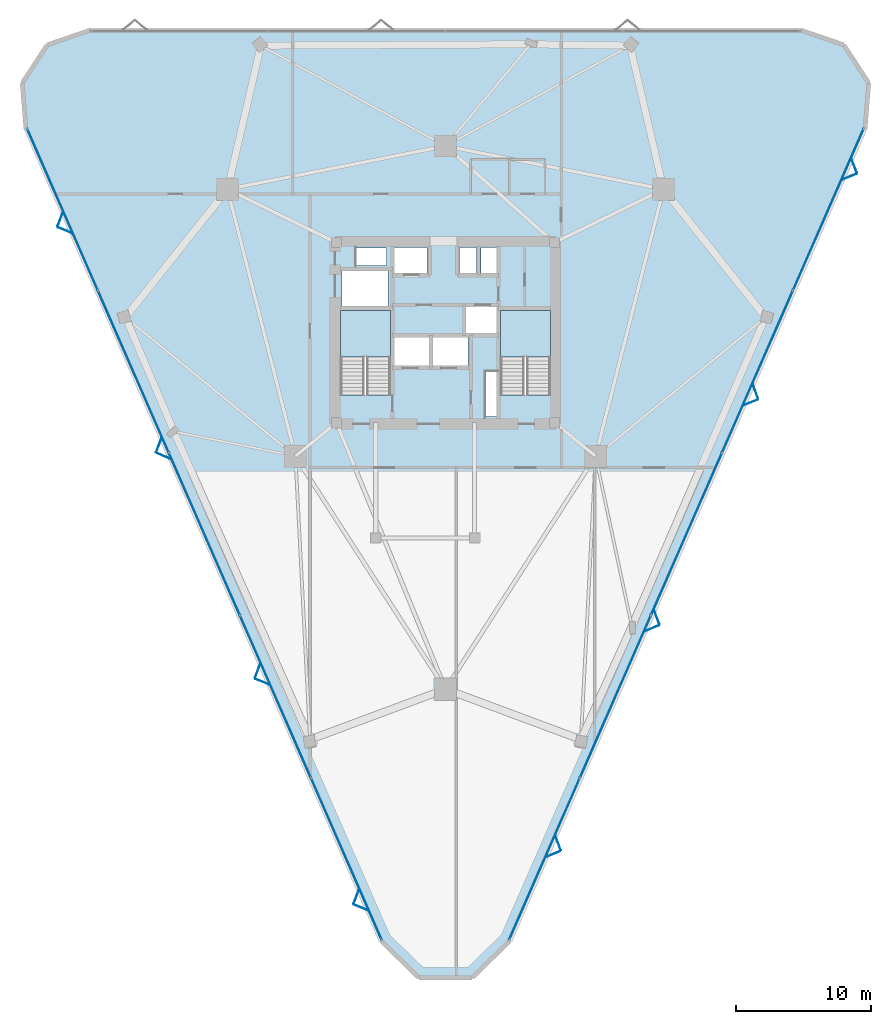
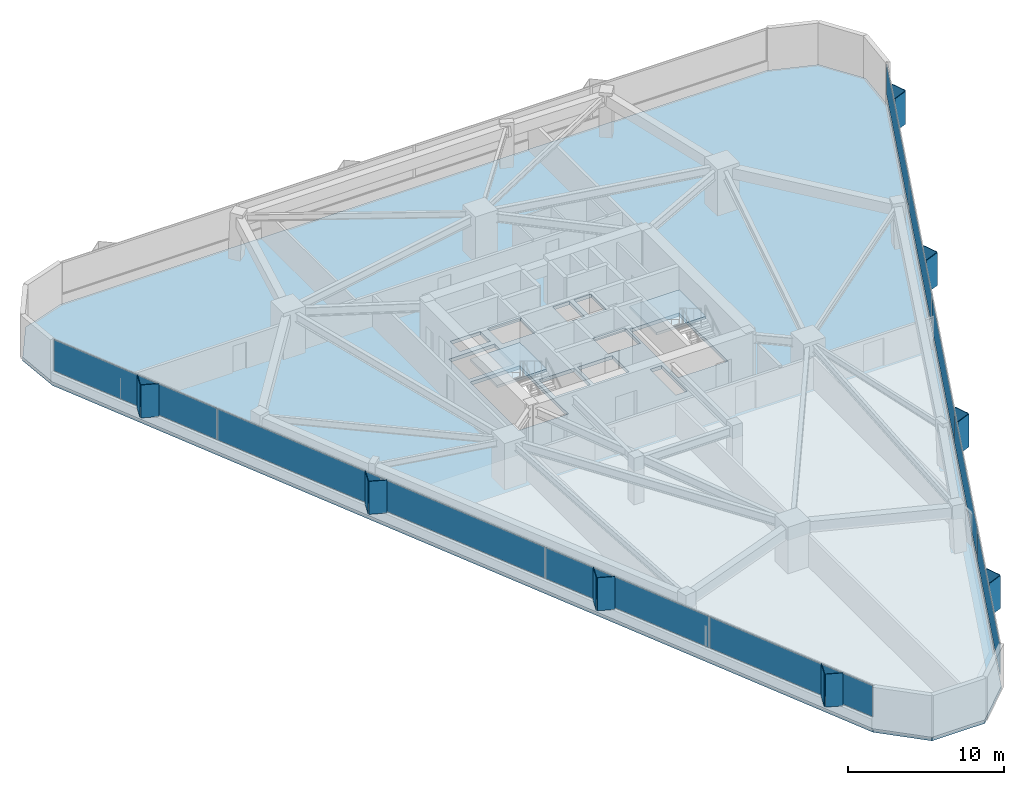
# One storey, part 12 of 18: 26 plates, 3 slabs, 4 elements without a shape of their own.
"""IFC4 building model written with IfcOpenShell, lengths in metres."""

from ifc_helpers import new_model, si_unit, direction, frame, origin, origin_2d, place, context, subcontext, project, spatial, polyline, rectangle, outline, extrude, material, layer, layer_set, type_object, element, aggregate, save


model = new_model("IFC4")

# Units and contexts
model_context = context("Model", 3, precision=1e-05, world=origin(), true_north=direction((0.0, 1.0)))
body_context = subcontext(model_context, "Body", "Model", "MODEL_VIEW")
ifc_project = project(units=[si_unit("LENGTHUNIT", "METRE"), si_unit("AREAUNIT", "SQUARE_METRE"), si_unit("VOLUMEUNIT", "CUBIC_METRE"), si_unit("PLANEANGLEUNIT", "RADIAN"), si_unit("MASSUNIT", "GRAM", prefix="KILO")], contexts=[model_context])

# Site, building, storey
site_placement = place(None, origin())
site = spatial("IfcSite", under=ifc_project, at=site_placement, CompositionType="ELEMENT")
building_placement = place(site_placement, origin())
building = spatial("IfcBuilding", under=site, at=building_placement, Name="Talyreon Biosciences Tower", CompositionType="ELEMENT")
storey_placement = place(building_placement, frame((0.0, 0.0, 89.60009765625)))
storey = spatial("IfcBuildingStorey", under=building, at=storey_placement, Name="L23", CompositionType="ELEMENT", Elevation=89.60009765625)

# Curtain wall, plates
ifc_material_1 = material(Name="Thermally broken aluminium and low-E glazing", Category="aluminium")
ifc_layer_1 = layer(ifc_material_1, 0.18994140625)
ifc_layer_set_1 = layer_set([ifc_layer_1], Name="Thermally broken aluminium and low-E glazing")
curtain_wall_type = type_object("IfcCurtainWallType", Name="CurtainWall_Zone2Genomics", PredefinedType="NOTDEFINED", material=ifc_layer_set_1)
curtain_wall_1_placement = place(storey_placement, origin())
curtain_wall_1 = element("IfcCurtainWall", 1, at=curtain_wall_1_placement, inside=storey, type_object=curtain_wall_type, Name="L23 Unitised Curtain Wall FCW-L23-00", PredefinedType="NOTDEFINED")
ifc_material_2 = material(Name="Triple-silver low-E insulated glazing", Category="glass")
ifc_layer_2 = layer(ifc_material_2, 0.031982421875)
ifc_layer_set_2 = layer_set([ifc_layer_2], Name="Triple-silver low-E insulated glazing")
plate_type_1 = type_object("IfcPlateType", Name="CWGlazingPanel_32", PredefinedType="CURTAIN_PANEL", material=ifc_layer_set_2)
plate_1_placement = place(storey_placement, frame((58.68017578125, 29.13623046875, 0.874755859375), z_axis=(0.0, 0.0, 1.0), x_axis=(-0.400542414041, 0.916278218967, 0.0)))
plate_1 = element("IfcPlate", 2, at=plate_1_placement, type_object=plate_type_1, Name="CW3 panel 1.1", PredefinedType="CURTAIN_PANEL", context=body_context, shape_type="SweptSolid", body=[
    extrude(rectangle(XDim=12.994384765625, YDim=0.031982421875, at=origin_2d()), origin(), (0.0, 0.0, 1.0), 2.43505859375),
])
plate_2_placement = place(storey_placement, frame((53.44287109375, 41.1171875, 0.874755859375), z_axis=(0.0, 0.0, 1.0), x_axis=(-0.400542414041, 0.916278218967, 0.0)))
plate_2 = element("IfcPlate", 3, at=plate_2_placement, type_object=plate_type_1, Name="CW3 panel 2.1", PredefinedType="CURTAIN_PANEL", context=body_context, shape_type="SweptSolid", body=[
    extrude(rectangle(XDim=13.02685546875, YDim=0.031982421875, at=origin_2d()), origin(), (0.0, 0.0, 1.0), 2.43505859375),
])
plate_3_placement = place(storey_placement, frame((48.198974609375, 53.113037109375, 0.874755859375), z_axis=(0.0, 0.0, 1.0), x_axis=(-0.400542414041, 0.916278218967, 0.0)))
plate_3 = element("IfcPlate", 4, at=plate_3_placement, type_object=plate_type_1, Name="CW3 panel 3.1", PredefinedType="CURTAIN_PANEL", context=body_context, shape_type="SweptSolid", body=[
    extrude(rectangle(XDim=13.02685546875, YDim=0.031982421875, at=origin_2d()), origin(), (0.0, 0.0, 1.0), 2.43505859375),
])
plate_4_placement = place(storey_placement, frame((42.955078125, 65.10888671875, 0.874755859375), z_axis=(0.0, 0.0, 1.0), x_axis=(-0.400542414041, 0.916278218967, 0.0)))
plate_4 = element("IfcPlate", 5, at=plate_4_placement, type_object=plate_type_1, Name="CW3 panel 4.1", PredefinedType="CURTAIN_PANEL", context=body_context, shape_type="SweptSolid", body=[
    extrude(rectangle(XDim=13.02685546875, YDim=0.031982421875, at=origin_2d()), origin(), (0.0, 0.0, 1.0), 2.43505859375),
])
plate_5_placement = place(storey_placement, frame((37.7177734375, 77.08984375, 0.874755859375), z_axis=(0.0, 0.0, 1.0), x_axis=(-0.400542414041, 0.916278218967, 0.0)))
plate_5 = element("IfcPlate", 6, at=plate_5_placement, type_object=plate_type_1, Name="CW3 panel 5.1", PredefinedType="CURTAIN_PANEL", context=body_context, shape_type="SweptSolid", body=[
    extrude(rectangle(XDim=12.994384765625, YDim=0.031982421875, at=origin_2d()), origin(), (0.0, 0.0, 1.0), 2.43505859375),
])
aggregate(curtain_wall_1, [plate_1, plate_2, plate_3, plate_4, plate_5])

curtain_wall_2_placement = place(storey_placement, origin())
curtain_wall_2 = element("IfcCurtainWall", 7, at=curtain_wall_2_placement, inside=storey, type_object=curtain_wall_type, Name="L23 Unitised Curtain Wall FCW-L23-08", PredefinedType="NOTDEFINED")
plate_6_placement = place(storey_placement, frame((94.2822265625, 77.08984375, 0.874755859375), z_axis=(0.0, 0.0, 1.0), x_axis=(-0.400542414041, -0.916278218967, 0.0)))
plate_6 = element("IfcPlate", 8, at=plate_6_placement, type_object=plate_type_1, Name="CW3 panel 1.1", PredefinedType="CURTAIN_PANEL", context=body_context, shape_type="SweptSolid", body=[
    extrude(rectangle(XDim=12.994384765625, YDim=0.031982421875, at=origin_2d()), origin(), (0.0, 0.0, 1.0), 2.43505859375),
])
plate_7_placement = place(storey_placement, frame((89.044921875, 65.10888671875, 0.874755859375), z_axis=(0.0, 0.0, 1.0), x_axis=(-0.400542414041, -0.916278218967, 0.0)))
plate_7 = element("IfcPlate", 9, at=plate_7_placement, type_object=plate_type_1, Name="CW3 panel 2.1", PredefinedType="CURTAIN_PANEL", context=body_context, shape_type="SweptSolid", body=[
    extrude(rectangle(XDim=13.02685546875, YDim=0.031982421875, at=origin_2d()), origin(), (0.0, 0.0, 1.0), 2.43505859375),
])
plate_8_placement = place(storey_placement, frame((83.801025390625, 53.113037109375, 0.874755859375), z_axis=(0.0, 0.0, 1.0), x_axis=(-0.400542414041, -0.916278218967, 0.0)))
plate_8 = element("IfcPlate", 10, at=plate_8_placement, type_object=plate_type_1, Name="CW3 panel 3.1", PredefinedType="CURTAIN_PANEL", context=body_context, shape_type="SweptSolid", body=[
    extrude(rectangle(XDim=13.02685546875, YDim=0.031982421875, at=origin_2d()), origin(), (0.0, 0.0, 1.0), 2.43505859375),
])
plate_9_placement = place(storey_placement, frame((78.55712890625, 41.1171875, 0.874755859375), z_axis=(0.0, 0.0, 1.0), x_axis=(-0.400542414041, -0.916278218967, 0.0)))
plate_9 = element("IfcPlate", 11, at=plate_9_placement, type_object=plate_type_1, Name="CW3 panel 4.1", PredefinedType="CURTAIN_PANEL", context=body_context, shape_type="SweptSolid", body=[
    extrude(rectangle(XDim=13.02685546875, YDim=0.031982421875, at=origin_2d()), origin(), (0.0, 0.0, 1.0), 2.43505859375),
])
plate_10_placement = place(storey_placement, frame((73.31982421875, 29.13623046875, 0.874755859375), z_axis=(0.0, 0.0, 1.0), x_axis=(-0.400542414041, -0.916278218967, 0.0)))
plate_10 = element("IfcPlate", 12, at=plate_10_placement, type_object=plate_type_1, Name="CW3 panel 5.1", PredefinedType="CURTAIN_PANEL", context=body_context, shape_type="SweptSolid", body=[
    extrude(rectangle(XDim=12.994384765625, YDim=0.031982421875, at=origin_2d()), origin(), (0.0, 0.0, 1.0), 2.43505859375),
])
aggregate(curtain_wall_2, [plate_6, plate_7, plate_8, plate_9, plate_10])

# Plates
ifc_material_3 = material(Name="Ivory GFRC sunshade panel", Category="concrete")
ifc_layer_3 = layer(ifc_material_3, 0.044921875)
ifc_layer_set_3 = layer_set([ifc_layer_3], Name="Ivory GFRC sunshade panel")
plate_type_2 = type_object("IfcPlateType", Name="FoldedVSunshade_SunFace_SUNSHADE", PredefinedType="USERDEFINED", material=ifc_layer_set_3)
for number, where, z_axis, x_axis, name in (
    (13, (59.77587890625, 25.53125, 0.7900390625), (0.0, 0.0, 1.0), (-0.924625824527, 0.380876731525, 0.0), "L23 Folded V-Sunshade Panel 00.01L"),
    (14, (59.41552734375, 26.35595703125, 0.7900390625), (0.0, 0.0, 1.0), (0.348375735797, 0.937354973693, 0.0), "L23 Folded V-Sunshade Panel 00.01R"),
    (15, (52.486083984375, 42.20751953125, 0.7900390625), (0.0, 0.0, 1.0), (-0.924625824527, 0.380876731525, 0.0), "L23 Folded V-Sunshade Panel 00.02L"),
    (16, (52.125732421875, 43.031982421875, 0.7900390625), (0.0, 0.0, 1.0), (0.348375735797, 0.937354973693, 0.0), "L23 Folded V-Sunshade Panel 00.02R"),
    (17, (45.1962890625, 58.8837890625, 0.7900390625), (0.0, 0.0, 1.0), (-0.924625824527, 0.380876731525, 0.0), "L23 Folded V-Sunshade Panel 00.03L"),
    (18, (44.835693359375, 59.70849609375, 0.7900390625), (0.0, 0.0, 1.0), (0.348375735797, 0.937354973693, 0.0), "L23 Folded V-Sunshade Panel 00.03R"),
    (19, (37.906494140625, 75.56005859375, 0.7900390625), (0.0, 0.0, 1.0), (-0.924625824527, 0.380876731525, 0.0), "L23 Folded V-Sunshade Panel 00.04L"),
    (20, (37.5458984375, 76.384765625, 0.7900390625), (0.0, 0.0, 1.0), (0.348375735797, 0.937354973693, 0.0), "L23 Folded V-Sunshade Panel 00.04R"),
    (21, (96.18408203125, 80.342529296875, 0.7900390625), (0.0, 0.0, 1.0), (0.348375735797, -0.937354973693, 0.0), "L23 Folded V-Sunshade Panel 08.01L"),
    (22, (95.82373046875, 79.517822265625, 0.7900390625), (0.0, 0.0, 1.0), (-0.924625824527, -0.380876731525, 0.0), "L23 Folded V-Sunshade Panel 08.01R"),
    (23, (88.894287109375, 63.666259765625, 0.7900390625), (0.0, 0.0, 1.0), (0.348375735797, -0.937354973693, 0.0), "L23 Folded V-Sunshade Panel 08.02L"),
    (24, (88.533935546875, 62.841552734375, 0.7900390625), (0.0, 0.0, 1.0), (-0.924625824527, -0.380876731525, 0.0), "L23 Folded V-Sunshade Panel 08.02R"),
    (25, (81.6044921875, 46.989990234375, 0.7900390625), (0.0, 0.0, 1.0), (0.348375735797, -0.937354973693, 0.0), "L23 Folded V-Sunshade Panel 08.03L"),
    (26, (81.243896484375, 46.165283203125, 0.7900390625), (0.0, 0.0, 1.0), (-0.924625824527, -0.380876731525, 0.0), "L23 Folded V-Sunshade Panel 08.03R"),
    (27, (74.314697265625, 30.313720703125, 0.7900390625), (0.0, 0.0, 1.0), (0.348375735797, -0.937354973693, 0.0), "L23 Folded V-Sunshade Panel 08.04L"),
    (28, (73.9541015625, 29.489013671875, 0.7900390625), (0.0, 0.0, 1.0), (-0.924625824527, -0.380876731525, 0.0), "L23 Folded V-Sunshade Panel 08.04R"),
):
    element("IfcPlate", number, at=place(storey_placement, frame(where, z_axis=z_axis, x_axis=x_axis)), inside=storey, type_object=plate_type_2, Name=name, ObjectType="SUNSHADE", PredefinedType="USERDEFINED", context=body_context, shape_type="SweptSolid", body=[
        extrude(rectangle(XDim=1.14990234375, YDim=0.044921875, at=origin_2d()), origin(), (0.0, 0.0, 1.0), 2.5849609375),
    ])

# Stair, slab
ifc_material_4 = material(Name="Concrete C40/50", Category="concrete")
stair_type = type_object("IfcStairType", Name="DoglegEscapeStair_3650", PredefinedType="HALF_TURN_STAIR", material=ifc_material_4)
stair_1_placement = place(storey_placement, origin())
stair_1 = element("IfcStair", 29, at=stair_1_placement, inside=storey, type_object=stair_type, Name="L23 Core Escape Stair 1", PredefinedType="HALF_TURN_STAIR")
ifc_layer_4 = layer(ifc_material_4, 0.199951171875)
ifc_layer_set_4 = layer_set([ifc_layer_4], Name="Concrete C40/50")
slab_type_1 = type_object("IfcSlabType", Name="StairLandingSlab_200", PredefinedType="LANDING", material=ifc_layer_set_4)
slab_1_placement = place(storey_placement, frame((0.0, 0.0, 1.625)))
slab_1 = element("IfcSlab", 30, at=slab_1_placement, type_object=slab_type_1, Name="ST-1 landing 1", PredefinedType="LANDING", context=body_context, shape_type="SweptSolid", body=[
    extrude(outline(polyline([(61.929931640625, 66.199951171875), (61.929931640625, 69.64990234375), (58.25, 69.64990234375), (58.25, 66.199951171875), (61.929931640625, 66.199951171875)])), origin(), (0.0, 0.0, 1.0), 0.199951171875),
])
aggregate(stair_1, [slab_1])

stair_2_placement = place(storey_placement, origin())
stair_2 = element("IfcStair", 31, at=stair_2_placement, inside=storey, type_object=stair_type, Name="L23 Core Escape Stair 2", PredefinedType="HALF_TURN_STAIR")
slab_2_placement = place(storey_placement, frame((0.0, 0.0, 1.625)))
slab_2 = element("IfcSlab", 32, at=slab_2_placement, type_object=slab_type_1, Name="ST-2 landing 1", PredefinedType="LANDING", context=body_context, shape_type="SweptSolid", body=[
    extrude(outline(polyline([(73.75, 66.199951171875), (73.75, 69.64990234375), (70.070068359375, 69.64990234375), (70.070068359375, 66.199951171875), (73.75, 66.199951171875)])), origin(), (0.0, 0.0, 1.0), 0.199951171875),
])
aggregate(stair_2, [slab_2])

# Slab
ifc_layer_5 = layer(ifc_material_4, 0.27490234375)
ifc_layer_set_5 = layer_set([ifc_layer_5], Name="Concrete C40/50")
slab_type_2 = type_object("IfcSlabType", Name="WetLabFloorSlab_275", PredefinedType="FLOOR", material=ifc_layer_set_5)
slab_3_placement = place(storey_placement, frame((0.0, 0.0, -0.275146484375)))
element("IfcSlab", 33, at=slab_3_placement, inside=storey, type_object=slab_type_2, Name="L23 Structural Floor Slab", PredefinedType="FLOOR", context=body_context, shape_type="SweptSolid", body=[
    extrude(outline(polyline([(61.2353515625, 23.091552734375), (35.01611328125, 83.070556640625), (34.740966796875, 86.43408203125), (36.588623046875, 89.25830078125), (39.78076171875, 90.353515625), (92.21923828125, 90.353515625), (95.411376953125, 89.25830078125), (97.259033203125, 86.43408203125), (96.98388671875, 83.070556640625), (70.7646484375, 23.091552734375), (67.958740234375, 20.357421875), (64.041259765625, 20.357421875), (61.2353515625, 23.091552734375)]), holes=[polyline([(61.929931640625, 69.64990234375), (61.929931640625, 63.407958984375), (58.25, 63.407958984375), (58.25, 69.64990234375), (61.929931640625, 69.64990234375)]), polyline([(64.800048828125, 67.64990234375), (64.800048828125, 65.550048828125), (62.199951171875, 65.550048828125), (62.199951171875, 67.64990234375), (64.800048828125, 67.64990234375)]), polyline([(67.64990234375, 67.64990234375), (67.64990234375, 65.550048828125), (65.050048828125, 65.550048828125), (65.050048828125, 67.64990234375), (67.64990234375, 67.64990234375)]), polyline([(61.75, 69.97998046875), (58.35009765625, 69.97998046875), (58.35009765625, 72.550048828125), (61.75, 72.550048828125), (61.75, 69.97998046875)]), polyline([(64.64990234375, 72.35009765625), (62.199951171875, 72.35009765625), (62.199951171875, 74.300048828125), (64.64990234375, 74.300048828125), (64.64990234375, 72.35009765625)]), polyline([(61.64990234375, 74.25), (61.64990234375, 72.9599609375), (59.39990234375, 72.9599609375), (59.39990234375, 74.25), (61.64990234375, 74.25)]), polyline([(69.820068359375, 61.800048828125), (68.9599609375, 61.800048828125), (68.9599609375, 65.10009765625), (69.820068359375, 65.10009765625), (69.820068359375, 61.800048828125)]), polyline([(73.75, 63.407958984375), (70.070068359375, 63.407958984375), (70.070068359375, 69.64990234375), (73.75, 69.64990234375), (73.75, 63.407958984375)]), polyline([(69.89990234375, 69.949951171875), (69.89990234375, 67.949951171875), (67.5, 67.949951171875), (67.5, 69.949951171875), (69.89990234375, 69.949951171875)]), polyline([(68.300048828125, 72.35009765625), (67.050048828125, 72.35009765625), (67.050048828125, 74.300048828125), (68.300048828125, 74.300048828125), (68.300048828125, 72.35009765625)]), polyline([(69.919921875, 72.35009765625), (68.6201171875, 72.35009765625), (68.6201171875, 74.300048828125), (69.919921875, 74.300048828125), (69.919921875, 72.35009765625)])]), origin(), (0.0, 0.0, 1.0), 0.275146484375),
])

save(model, "model.ifc")
